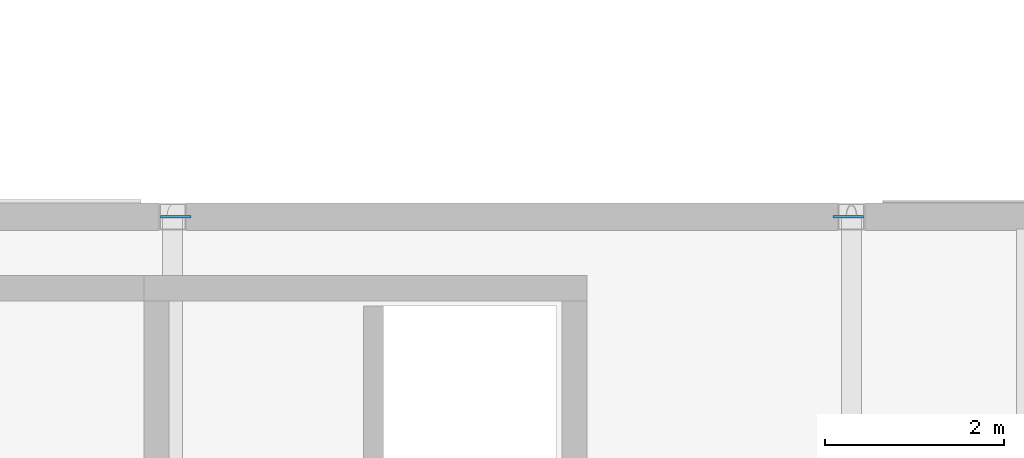
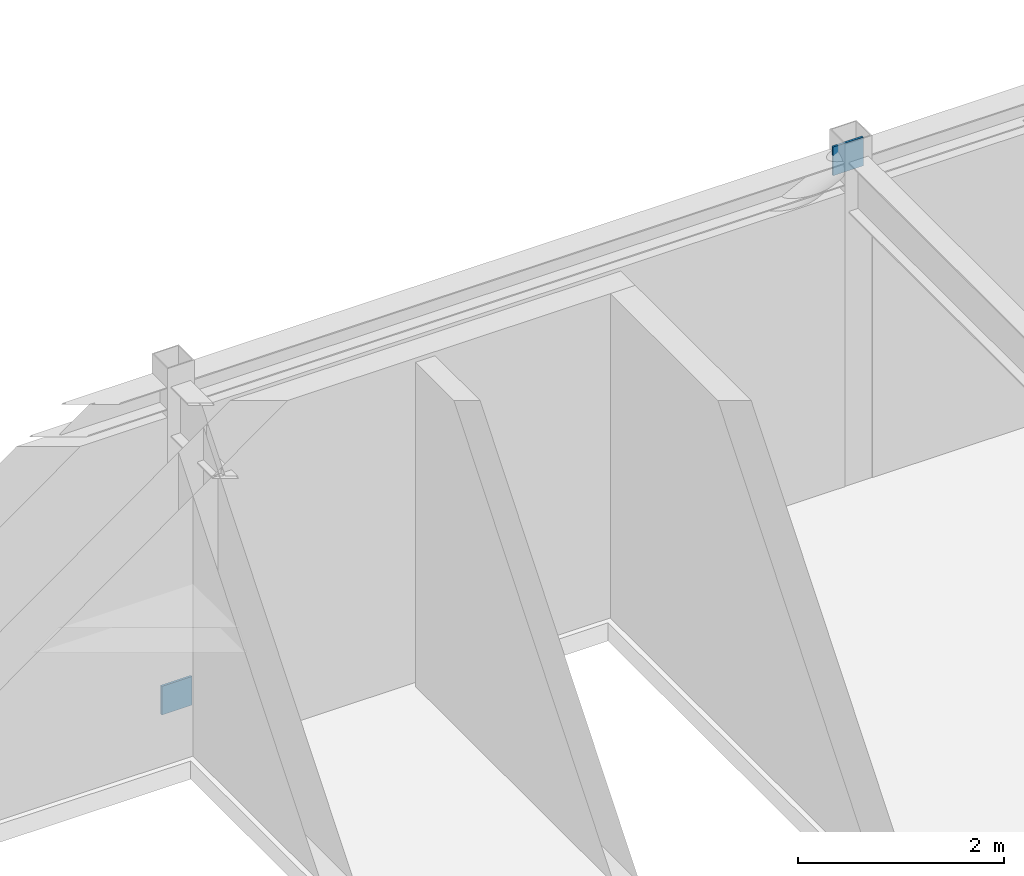
# One storey, part 148 of 165: 2 discrete accessories.
"""IFC4 building model written with IfcOpenShell, lengths in metres."""

from ifc_helpers import new_model, si_unit, direction, frame, origin, origin_2d, place, context, subcontext, project, spatial, rectangle, extrude, material, type_object, element, save


model = new_model("IFC4")

# Units and contexts
model_context = context("Model", 3, precision=1e-05, world=origin(), true_north=direction((0.0, 1.0)))
body_context = subcontext(model_context, "Body", "Model", "MODEL_VIEW")
ifc_project = project(units=[si_unit("LENGTHUNIT", "METRE"), si_unit("AREAUNIT", "SQUARE_METRE"), si_unit("VOLUMEUNIT", "CUBIC_METRE"), si_unit("PLANEANGLEUNIT", "RADIAN"), si_unit("MASSUNIT", "GRAM", prefix="KILO")], contexts=[model_context])

# Site, building, storey
site_placement = place(None, origin())
site = spatial("IfcSite", under=ifc_project, at=site_placement, CompositionType="ELEMENT")
building_placement = place(site_placement, origin())
building = spatial("IfcBuilding", under=site, at=building_placement, Name="Montecoro Central Library", CompositionType="ELEMENT")
storey_placement = place(building_placement, frame((0.0, 0.0, 5.10009765625)))
storey = spatial("IfcBuildingStorey", under=building, at=storey_placement, Name="L01", CompositionType="ELEMENT", Elevation=5.10009765625)

# Discrete accessories
ifc_material = material(Name="Steel S355", Category="steel")
discrete_accessory_type = type_object("IfcDiscreteAccessoryType", Name="GUSSET-PLT-01", PredefinedType="BRACKET", material=ifc_material)
for number, where, z_axis, x_axis, name in (
    (1, (12.635986328125, 111.39990234375, -0.14208984375), (0.0, 0.0, 1.0), (1.0, 0.0, 0.0), "V4-L01-BRN1-GPA"),
    (2, (20.1640625, 111.39990234375, 3.61669921875), (0.0, 0.0, 1.0), (1.0, 0.0, 0.0), "V4-L01-BRN1-GPB"),
):
    element("IfcDiscreteAccessory", number, at=place(storey_placement, frame(where, z_axis=z_axis, x_axis=x_axis)), inside=storey, type_object=discrete_accessory_type, Name=name, PredefinedType="BRACKET", context=body_context, shape_type="SweptSolid", body=[
        extrude(rectangle(XDim=0.340087890625, YDim=0.02392578125, at=origin_2d()), origin(), (0.0, 0.0, 1.0), 0.340087890625),
    ])

save(model, "model.ifc")
